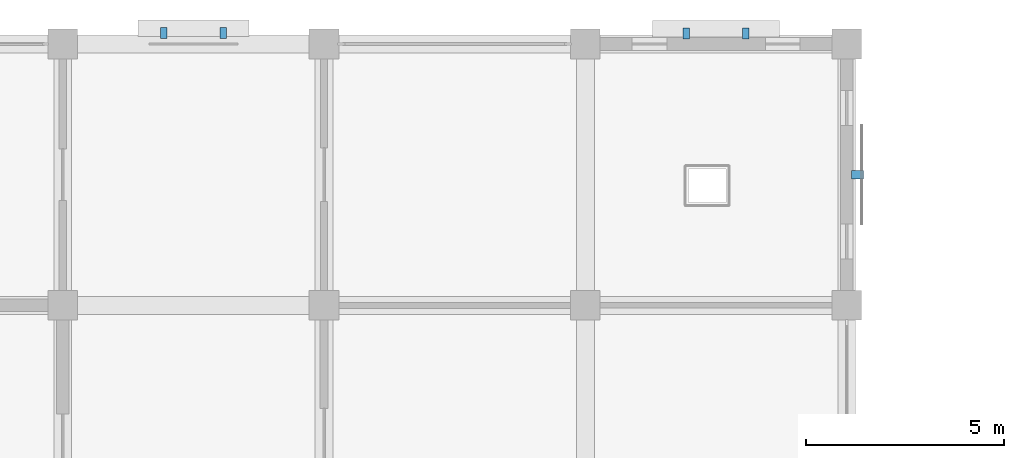
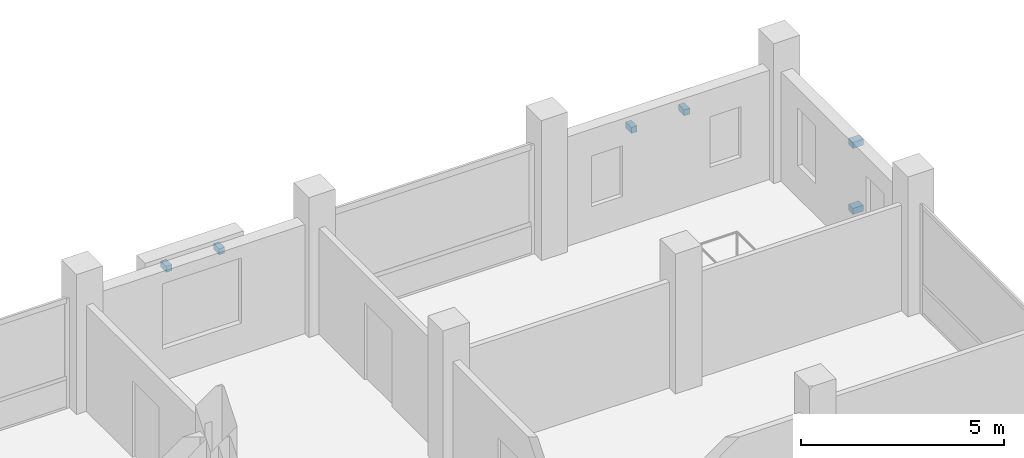
# One storey, part 12 of 14: 6 discrete accessories.
"""IFC4 building model written with IfcOpenShell, lengths in metres."""

from ifc_helpers import new_model, si_unit, direction, frame, origin, origin_2d, place, context, subcontext, project, spatial, rectangle, extrude, material, type_object, element, save


model = new_model("IFC4")

# Units and contexts
model_context = context("Model", 3, precision=1e-05, world=origin(), true_north=direction((0.0, 1.0)))
body_context = subcontext(model_context, "Body", "Model", "MODEL_VIEW")
ifc_project = project(units=[si_unit("LENGTHUNIT", "METRE"), si_unit("AREAUNIT", "SQUARE_METRE"), si_unit("VOLUMEUNIT", "CUBIC_METRE"), si_unit("PLANEANGLEUNIT", "RADIAN"), si_unit("MASSUNIT", "GRAM", prefix="KILO")], contexts=[model_context])

# Site, building, storey
site_placement = place(None, origin())
site = spatial("IfcSite", under=ifc_project, at=site_placement, CompositionType="ELEMENT")
building_placement = place(site_placement, origin())
building = spatial("IfcBuilding", under=site, at=building_placement, Name="Rusizi Kubbe Research Institute", CompositionType="ELEMENT")
storey_placement = place(building_placement, frame((0.0, 0.0, 31.199951171875)))
storey = spatial("IfcBuildingStorey", under=building, at=storey_placement, Name="L07", CompositionType="ELEMENT", Elevation=31.199951171875)

# Discrete accessories
ifc_material_1 = material(Name="Steel S355", Category="steel")
discrete_accessory_type_1 = type_object("IfcDiscreteAccessoryType", Name="BK-01", PredefinedType="BRACKET", material=ifc_material_1)
for number, where, z_axis, x_axis, name in (
    (1, (26.672607421875, 75.89990234375, 0.740234375), (0.0, 0.0, 1.0), (1.0, 0.0, 0.0), "Solar Screen Bracket 59-1"),
    (2, (26.672607421875, 75.89990234375, 2.72021484375), (0.0, 0.0, 1.0), (1.0, 0.0, 0.0), "Solar Screen Bracket 59-2"),
):
    element("IfcDiscreteAccessory", number, at=place(storey_placement, frame(where, z_axis=z_axis, x_axis=x_axis)), inside=storey, type_object=discrete_accessory_type_1, Name=name, PredefinedType="BRACKET", context=body_context, shape_type="SweptSolid", body=[
        extrude(rectangle(XDim=0.300048828125, YDim=0.219970703125, at=origin_2d()), origin(), (0.0, 0.0, 1.0), 0.179931640625),
    ])
ifc_material_2 = material(Name="Steel S355", Category="steel")
discrete_accessory_type_2 = type_object("IfcDiscreteAccessoryType", Name="BK-02", PredefinedType="BRACKET", material=ifc_material_2)
for number, where, z_axis, x_axis, name in (
    (3, (9.14990234375, 79.4775390625, 2.9599609375), (0.0, 0.0, 1.0), (1.0, 0.0, 0.0), "Louver Canopy Bracket 41-1"),
    (4, (10.64990234375, 79.4775390625, 2.9599609375), (0.0, 0.0, 1.0), (1.0, 0.0, 0.0), "Louver Canopy Bracket 41-2"),
    (5, (22.35009765625, 79.46240234375, 2.52001953125), (0.0, 0.0, 1.0), (1.0, 0.0, 0.0), "Louver Canopy Bracket 42-1"),
    (6, (23.85009765625, 79.46240234375, 2.52001953125), (0.0, 0.0, 1.0), (1.0, 0.0, 0.0), "Louver Canopy Bracket 42-2"),
):
    element("IfcDiscreteAccessory", number, at=place(storey_placement, frame(where, z_axis=z_axis, x_axis=x_axis)), inside=storey, type_object=discrete_accessory_type_2, Name=name, PredefinedType="BRACKET", context=body_context, shape_type="SweptSolid", body=[
        extrude(rectangle(XDim=0.159912109375, YDim=0.280029296875, at=origin_2d()), origin(), (0.0, 0.0, 1.0), 0.179931640625),
    ])

save(model, "model.ifc")
